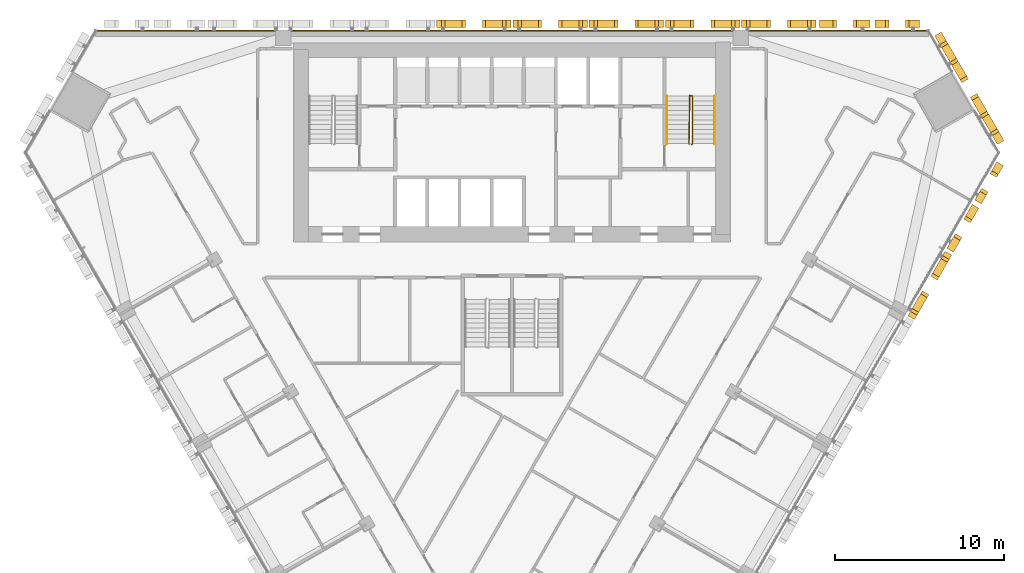
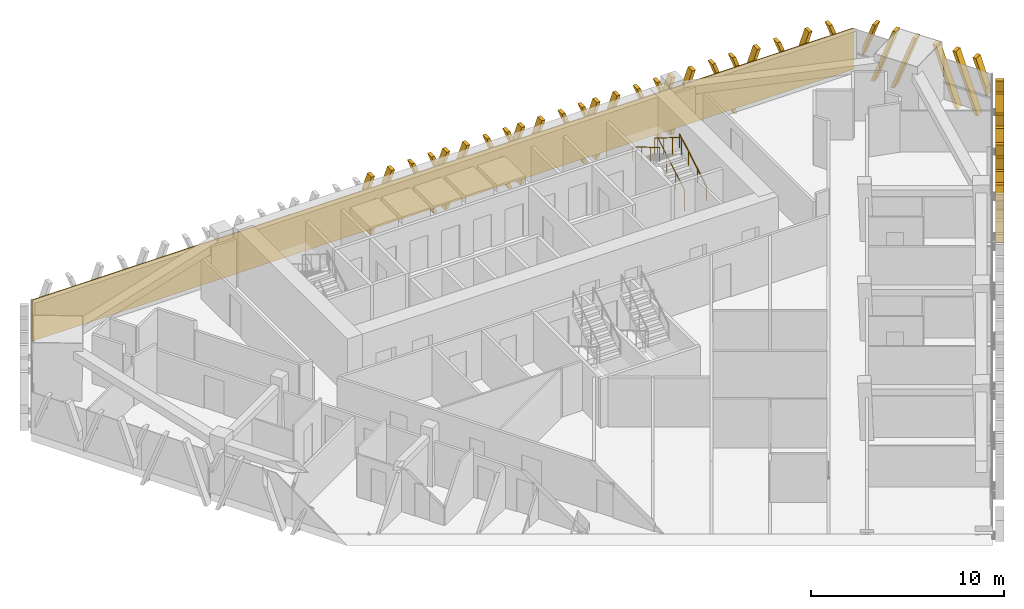
# One storey, part 15 of 16: 11 shading devices, 3 railings, 1 covering.
"""IFC4 building model written with IfcOpenShell, lengths in metres."""

import ifcopenshell
import ifcopenshell.guid

model = None  # the IFC model being written
_history = None  # IfcOwnerHistory: only IFC2X3 demands one
_inside = {}  # id of a spatial element -> (the spatial element, [elements in it])
_under = {}  # id of a project, library or spatial element -> (it, [spatial elements below it])
_declared = {}  # id of a project -> (the project, [libraries it declares])
_typed = {}  # id of a type object -> (the type object, [elements of that type])
_made_of = {}  # id of a material, layer set ... -> (it, [elements and type objects made of it])


def new_model(schema):
    """Start an empty IFC model of exactly this schema.

    Asked for "IFC4X3", IfcOpenShell would pick the latest addendum, in which some entities
    have other attributes; the version numbers below select the first issue.
    IFC2X3 requires an IfcOwnerHistory on every rooted entity: one is made here for all.
    """
    global model, _history
    if schema == "IFC4X3":
        model = ifcopenshell.file(schema_version=(4, 3, 0, 0))
    else:
        model = ifcopenshell.file(schema=schema)
    _inside.clear()
    _under.clear()
    _declared.clear()
    _typed.clear()
    _made_of.clear()
    _history = None
    if model.schema == "IFC2X3":
        org = make("IfcOrganization", Name="unknown")
        user = make(
            "IfcPersonAndOrganization",
            ThePerson=make("IfcPerson", FamilyName="unknown"),
            TheOrganization=org,
        )
        app = make(
            "IfcApplication",
            ApplicationDeveloper=org,
            Version="unknown",
            ApplicationFullName="unknown",
            ApplicationIdentifier="unknown",
        )
        _history = make(
            "IfcOwnerHistory",
            OwningUser=user,
            OwningApplication=app,
            ChangeAction="ADDED",
            CreationDate=0,
        )
    return model


def make(cls, **values):
    """One entity of the class cls with the attributes given. An attribute that is None is left unset."""
    return model.create_entity(
        cls, **{name: value for name, value in values.items() if value is not None}
    )


def rooted(cls, **values):
    """An entity with a GlobalId (a new one), such as an element, a storey or a relation."""
    return make(cls, GlobalId=ifcopenshell.guid.new(), OwnerHistory=_history, **values)


def si_unit(unit_type, name, prefix=None):
    """IfcSIUnit, for example si_unit("LENGTHUNIT", "METRE", prefix="MILLI")."""
    return make("IfcSIUnit", UnitType=unit_type, Prefix=prefix, Name=name)


def assignment(units):
    """IfcUnitAssignment: the units of a project."""
    return None if units is None else make("IfcUnitAssignment", Units=units)


def point(xyz):
    """IfcCartesianPoint."""
    return None if xyz is None else make("IfcCartesianPoint", Coordinates=xyz)


def direction(xyz):
    """IfcDirection."""
    return None if xyz is None else make("IfcDirection", DirectionRatios=xyz)


def frame(location, z_axis=None, x_axis=None):
    """IfcAxis2Placement3D, a coordinate frame: its origin and axes. An axis left out is left unset."""
    return make(
        "IfcAxis2Placement3D",
        Location=point(location),
        Axis=direction(z_axis),
        RefDirection=direction(x_axis),
    )


def frame_2d(location, x_axis=None):
    """IfcAxis2Placement2D, a coordinate frame in the plane: its origin and x axis."""
    return make(
        "IfcAxis2Placement2D", Location=point(location), RefDirection=direction(x_axis)
    )


def origin():
    """The frame at (0, 0, 0) with its axes left unset."""
    return frame((0.0, 0.0, 0.0))


def origin_2d():
    """The frame at (0, 0) in the plane with its x axis left unset."""
    return frame_2d((0.0, 0.0))


def place(relative_to, where):
    """IfcLocalPlacement: puts the frame where relative to a parent placement (None: the world)."""
    return make(
        "IfcLocalPlacement", PlacementRelTo=relative_to, RelativePlacement=where
    )


def context(
    kind, dimensions, precision=None, world=None, true_north=None, identifier=None
):
    """IfcGeometricRepresentationContext, for example the 3D "Model" context."""
    return make(
        "IfcGeometricRepresentationContext",
        ContextIdentifier=identifier,
        ContextType=kind,
        CoordinateSpaceDimension=dimensions,
        Precision=precision,
        WorldCoordinateSystem=world,
        TrueNorth=true_north,
    )


def subcontext(parent, identifier, kind, view, scale=None):
    """IfcGeometricRepresentationSubContext, for example "Body" below "Model"."""
    return make(
        "IfcGeometricRepresentationSubContext",
        ContextIdentifier=identifier,
        ContextType=kind,
        ParentContext=parent,
        TargetScale=scale,
        TargetView=view,
    )


def project(units=None, contexts=None):
    """IfcProject with its units and contexts."""
    return rooted(
        "IfcProject",
        Name="project",
        RepresentationContexts=contexts,
        UnitsInContext=assignment(units),
    )


def spatial(cls, under=None, at=None, **own):
    """A site, building, storey or space (cls), placed at a placement, below another one or the project."""
    s = rooted(cls, ObjectPlacement=at, **own)
    if under is not None:
        _under.setdefault(under.id(), (under, []))[1].append(s)
    return s


def polyline(points):
    """IfcPolyline through the points."""
    return make("IfcPolyline", Points=[point(p) for p in points])


def profile(cls, at=None, kind="AREA", **sizes):
    """A parametric profile (cls). Its sizes go by their IFC names, for example OverallWidth=200.0."""
    return make(cls, ProfileType=kind, Position=at, **sizes)


def rectangle(**sizes):
    """IfcRectangleProfileDef."""
    return profile("IfcRectangleProfileDef", **sizes)


def circle(**sizes):
    """IfcCircleProfileDef."""
    return profile("IfcCircleProfileDef", **sizes)


def outline(outer, holes=None, kind="AREA"):
    """IfcArbitraryClosedProfileDef: a profile drawn as a closed curve; with holes, ...WithVoids."""
    if holes is None:
        return make("IfcArbitraryClosedProfileDef", ProfileType=kind, OuterCurve=outer)
    return make(
        "IfcArbitraryProfileDefWithVoids",
        ProfileType=kind,
        OuterCurve=outer,
        InnerCurves=holes,
    )


def extrude(swept, where, along, depth):
    """IfcExtrudedAreaSolid: the profile swept, set in the frame where, extruded along a direction by depth."""
    return make(
        "IfcExtrudedAreaSolid",
        SweptArea=swept,
        Position=where,
        ExtrudedDirection=direction(along),
        Depth=depth,
    )


def shape(context_of_items, identifier, shape_type, items):
    """IfcShapeRepresentation: the items that make up one representation, for example the "Body"."""
    return make(
        "IfcShapeRepresentation",
        ContextOfItems=context_of_items,
        RepresentationIdentifier=identifier,
        RepresentationType=shape_type,
        Items=items,
    )


def source(mapping_origin, context_of_items, identifier, shape_type, items):
    """IfcRepresentationMap: a shape defined once, which mapped items show again and again."""
    return make(
        "IfcRepresentationMap",
        MappingOrigin=mapping_origin,
        MappedRepresentation=shape(context_of_items, identifier, shape_type, items),
    )


def transform(
    local_origin,
    x_axis=None,
    y_axis=None,
    z_axis=None,
    scale=None,
    scale2=None,
    scale3=None,
    uniform=True,
):
    """IfcCartesianTransformationOperator3D, or its non-uniform kind. x_axis, y_axis, z_axis: its Axis1, 2, 3."""
    if uniform:
        return make(
            "IfcCartesianTransformationOperator3D",
            Axis1=direction(x_axis),
            Axis2=direction(y_axis),
            LocalOrigin=point(local_origin),
            Scale=scale,
            Axis3=direction(z_axis),
        )
    return make(
        "IfcCartesianTransformationOperator3DnonUniform",
        Axis1=direction(x_axis),
        Axis2=direction(y_axis),
        LocalOrigin=point(local_origin),
        Scale=scale,
        Axis3=direction(z_axis),
        Scale2=scale2,
        Scale3=scale3,
    )


def mapped(mapping_source, mapping_target):
    """IfcMappedItem: shows the shape of a source again, moved by a transform."""
    return make(
        "IfcMappedItem", MappingSource=mapping_source, MappingTarget=mapping_target
    )


def material(Name=None, Category=None):
    """IfcMaterial."""
    return make("IfcMaterial", Name=Name, Category=Category)


def layer(
    of_material, thickness, ventilated=None, Name=None, Category=None, Priority=None
):
    """IfcMaterialLayer: one layer of a wall or slab, of a material (None: an air gap)."""
    return make(
        "IfcMaterialLayer",
        Material=of_material,
        LayerThickness=thickness,
        IsVentilated=ventilated,
        Name=Name,
        Category=Category,
        Priority=Priority,
    )


def layer_set(layers, Name=None):
    """IfcMaterialLayerSet."""
    return make("IfcMaterialLayerSet", MaterialLayers=layers, LayerSetName=Name)


def made_of(thing, what):
    """Note that an element or type object is made of a material, layer set ...; save() writes the relation."""
    if what is not None:
        _made_of.setdefault(what.id(), (what, []))[1].append(thing)
    return thing


def type_object(cls, material=None, **own):
    """A type object (cls), such as IfcWallType, which elements share."""
    return made_of(rooted(cls, **own), material)


def element(
    cls,
    number,
    at=None,
    inside=None,
    cuts=None,
    type_object=None,
    material=None,
    context=None,
    identifier="Body",
    shape_type=None,
    held_by="IfcProductDefinitionShape",
    body=None,
    shapes=None,
    **own,
):
    """One element of the class cls, such as IfcWall. Its Tag is "e" and its number.

    at: its placement. inside: the storey or other place that contains it. cuts: it is an
    opening in that element (IfcRelVoidsElement). A single representation is given by context,
    identifier, shape_type and body (its items); several are given by shapes. held_by: the class
    of the entity that holds the representations. save() writes the other relations.
    """
    e = rooted(cls, Tag="e%d" % number, ObjectPlacement=at, **own)
    if body is not None:
        shapes = [shape(context, identifier, shape_type, body)]
    if shapes is not None:
        e.Representation = make(held_by, Representations=shapes)
    if inside is not None:
        _inside.setdefault(inside.id(), (inside, []))[1].append(e)
    if cuts is not None:
        rooted(
            "IfcRelVoidsElement", RelatingBuildingElement=cuts, RelatedOpeningElement=e
        )
    if type_object is not None:
        _typed.setdefault(type_object.id(), (type_object, []))[1].append(e)
    return made_of(e, material)


def aggregate(whole, parts):
    """IfcRelAggregates: a whole, such as a stair, and the parts it consists of."""
    return rooted("IfcRelAggregates", RelatingObject=whole, RelatedObjects=parts)


def save(model, path):
    """Write the relations noted so far, then the file.

    IfcRelAggregates (storeys below a building ...), IfcRelContainedInSpatialStructure (elements
    in a storey), IfcRelDefinesByType, IfcRelAssociatesMaterial and IfcRelDeclares: one each for
    every whole, place, type object, material and project.
    """
    for whole, parts in _under.values():
        aggregate(whole, parts)
    for where, things in _inside.values():
        rooted(
            "IfcRelContainedInSpatialStructure",
            RelatedElements=things,
            RelatingStructure=where,
        )
    for kind, things in _typed.values():
        rooted("IfcRelDefinesByType", RelatedObjects=things, RelatingType=kind)
    for what, things in _made_of.values():
        rooted("IfcRelAssociatesMaterial", RelatedObjects=things, RelatingMaterial=what)
    for by, libraries in _declared.values():
        rooted("IfcRelDeclares", RelatingContext=by, RelatedDefinitions=libraries)
    model.write(path)


model = new_model("IFC4")

# Units and contexts
model_context = context("Model", 3, precision=1e-05, world=origin(), true_north=direction((0.0, 1.0)))
body_context = subcontext(model_context, "Body", "Model", "MODEL_VIEW")
ifc_project = project(units=[si_unit("LENGTHUNIT", "METRE"), si_unit("AREAUNIT", "SQUARE_METRE"), si_unit("VOLUMEUNIT", "CUBIC_METRE"), si_unit("PLANEANGLEUNIT", "RADIAN"), si_unit("MASSUNIT", "GRAM", prefix="KILO")], contexts=[model_context])

# Site, building, storey
site_placement = place(None, origin())
site = spatial("IfcSite", under=ifc_project, at=site_placement, CompositionType="ELEMENT")
building_placement = place(site_placement, origin())
building = spatial("IfcBuilding", under=site, at=building_placement, Name="Altiplano Prism Tower", CompositionType="ELEMENT")
storey_placement = place(building_placement, frame((0.0, 0.0, 104.39990234375)))
storey = spatial("IfcBuildingStorey", under=building, at=storey_placement, Name="L26", CompositionType="ELEMENT", Elevation=104.39990234375)

# Railings
ifc_material_1 = material(Name="Steel S355", Category="steel")
railing_type_1 = type_object("IfcRailingType", Name="Stair guard 1100", PredefinedType="GUARDRAIL", material=ifc_material_1)
railing_1_placement = place(storey_placement, frame((95.60009765625, 98.25, 0.0)))
element("IfcRailing", 1, at=railing_1_placement, inside=storey, type_object=railing_type_1, Name="L26 ST2 stair guard 1", PredefinedType="GUARDRAIL", context=body_context, shape_type="SweptSolid", body=[
    extrude(circle(Radius=0.02392578125, at=origin_2d()), frame((0.0, 0.0, 1.076171875), z_axis=(0.279194930351, 0.280563532951, 0.91833234444), x_axis=(-0.708833529934, 0.705375805398, 0.0)), (0.0, 0.0, 1.0), 0.178466796875),
    extrude(circle(Radius=0.02392578125, at=origin_2d()), frame((0.0498046875, 0.050048828125, 1.23974609375), z_axis=(0.0, 0.863393664356, 0.504530851732), x_axis=(-1.0, 0.0, 0.0)), (0.0, 0.0, 1.0), 3.2431640625),
    extrude(circle(Radius=0.02392578125, at=origin_2d()), frame((0.0498046875, 2.85009765625, 2.8759765625), z_axis=(-0.948991962702, 0.315300261223, 0.0), x_axis=(-0.315300261223, -0.948991962702, 0.0)), (0.0, 0.0, 1.0), 0.157958984375),
    extrude(circle(Radius=0.02392578125, at=origin_2d()), frame((-0.10009765625, 2.89990234375, 2.8759765625), z_axis=(-0.014846418356, -0.845376787675, 0.533964109957), x_axis=(0.999845825584, -0.017559187376, 0.0)), (0.0, 0.0, 1.0), 3.37109375),
    extrude(circle(Radius=0.02099609375, at=origin_2d()), origin(), (0.0, 0.0, 1.0), 1.052001953125),
    extrude(circle(Radius=0.02099609375, at=origin_2d()), frame((0.0498046875, 0.050048828125, 0.163818359375)), (0.0, 0.0, 1.0), 1.052001953125),
    extrude(circle(Radius=0.02099609375, at=origin_2d()), frame((0.0498046875, 0.9833984375, 0.709228515625)), (0.0, 0.0, 1.0), 1.052001953125),
    extrude(circle(Radius=0.02099609375, at=origin_2d()), frame((0.0498046875, 1.916748046875, 1.254638671875)), (0.0, 0.0, 1.0), 1.052001953125),
    extrude(circle(Radius=0.02099609375, at=origin_2d()), frame((0.0498046875, 2.85009765625, 1.800048828125)), (0.0, 0.0, 1.0), 1.052001953125),
    extrude(circle(Radius=0.02099609375, at=origin_2d()), frame((-0.10009765625, 2.89990234375, 1.800048828125)), (0.0, 0.0, 1.0), 1.052001953125),
    extrude(circle(Radius=0.02099609375, at=origin_2d()), frame((-0.11669921875, 1.949951171875, 2.400146484375)), (0.0, 0.0, 1.0), 1.052001953125),
    extrude(circle(Radius=0.02099609375, at=origin_2d()), frame((-0.133544921875, 1.0, 3.0)), (0.0, 0.0, 1.0), 1.052001953125),
    extrude(circle(Radius=0.02099609375, at=origin_2d()), frame((-0.150146484375, 0.050048828125, 3.60009765625)), (0.0, 0.0, 1.0), 1.052001953125),
])
railing_type_2 = type_object("IfcRailingType", Name="Stair handrail 900", PredefinedType="HANDRAIL", material=ifc_material_1)
railing_2_placement = place(storey_placement, frame((96.949951171875, 98.300048828125, 0.163818359375)))
element("IfcRailing", 2, at=railing_2_placement, inside=storey, type_object=railing_type_2, Name="L26 ST2 stair handrail 1", PredefinedType="HANDRAIL", context=body_context, shape_type="SweptSolid", body=[
    extrude(circle(Radius=0.02392578125, at=origin_2d()), frame((0.0, 0.0, 0.8759765625), z_axis=(0.0, 0.863393664356, 0.504530851732), x_axis=(-1.0, 0.0, 0.0)), (0.0, 0.0, 1.0), 3.2431640625),
    extrude(circle(Radius=0.02099609375, at=origin_2d()), origin(), (0.0, 0.0, 1.0), 0.851806640625),
    extrude(circle(Radius=0.02099609375, at=origin_2d()), frame((0.0, 0.933349609375, 0.54541015625)), (0.0, 0.0, 1.0), 0.851806640625),
    extrude(circle(Radius=0.02099609375, at=origin_2d()), frame((0.0, 1.86669921875, 1.0908203125)), (0.0, 0.0, 1.0), 0.851806640625),
    extrude(circle(Radius=0.02099609375, at=origin_2d()), frame((0.0, 2.800048828125, 1.63623046875)), (0.0, 0.0, 1.0), 0.851806640625),
])
railing_3_placement = place(storey_placement, frame((94.14990234375, 101.10009765625, 1.963623046875)))
element("IfcRailing", 3, at=railing_3_placement, inside=storey, type_object=railing_type_2, Name="L26 ST2 stair handrail 2", PredefinedType="HANDRAIL", context=body_context, shape_type="SweptSolid", body=[
    extrude(circle(Radius=0.02392578125, at=origin_2d()), frame((0.0, 0.0, 0.8759765625), z_axis=(0.0, -0.863360870873, 0.504586966384), x_axis=(1.0, 0.0, 0.0)), (0.0, 0.0, 1.0), 3.2431640625),
    extrude(circle(Radius=0.02099609375, at=origin_2d()), origin(), (0.0, 0.0, 1.0), 0.851806640625),
    extrude(circle(Radius=0.02099609375, at=origin_2d()), frame((0.0, -0.933349609375, 0.54541015625)), (0.0, 0.0, 1.0), 0.851806640625),
    extrude(circle(Radius=0.02099609375, at=origin_2d()), frame((0.0, -1.86669921875, 1.091064453125)), (0.0, 0.0, 1.0), 0.851806640625),
    extrude(circle(Radius=0.02099609375, at=origin_2d()), frame((0.0, -2.800048828125, 1.636474609375)), (0.0, 0.0, 1.0), 0.851806640625),
])

# Covering
ifc_material_2 = material(Name="Warm limestone cast stone", Category="masonry")
ifc_layer = layer(ifc_material_2, 0.06005859375)
ifc_layer_set = layer_set([ifc_layer], Name="Warm limestone cast stone")
covering_type = type_object("IfcCoveringType", Name="Stone cladding 60", PredefinedType="CLADDING", material=ifc_layer_set)
covering_placement = place(storey_placement, frame((60.41162109375, 104.969970703125, 0.0), z_axis=(0.0, 0.0, 1.0), x_axis=(1.0, 0.0, 0.0)))
element("IfcCovering", 4, at=covering_placement, inside=storey, type_object=covering_type, Name="Stone cladding north face L26", PredefinedType="CLADDING", context=body_context, shape_type="SweptSolid", body=[
    extrude(rectangle(XDim=49.1767578125, YDim=0.06005859375, at=frame_2d((24.58837890625, 0.0))), origin(), (0.0, 0.0, 1.0), 2.60009765625),
])

# Shading devices
shading_device_type_1 = type_object("IfcShadingDeviceType", Name="Stone fin panel, standard unit", PredefinedType="USERDEFINED", material=ifc_material_2)
shared_shape_1 = source(origin(), body_context, "Body", "SweptSolid", [
    extrude(outline(polyline([(-2.199951171875, 2.226318359375), (-1.699951171875, 3.60009765625), (-1.89990234375, 3.60009765625), (-2.199951171875, 2.77587890625), (-2.199951171875, 2.226318359375)])), frame((0.0, -0.14990234375, 0.0), z_axis=(0.0, -1.0, 0.0), x_axis=(1.0, 0.0, 0.0)), (0.0, 0.0, 1.0), 0.4501953125),
    extrude(outline(polyline([(-2.01025390625, 0.0), (-1.810302734375, 0.0), (-0.5, 3.60009765625), (-0.699951171875, 3.60009765625), (-2.01025390625, 0.0)])), frame((0.0, -0.14990234375, 0.0), z_axis=(0.0, -1.0, 0.0), x_axis=(1.0, 0.0, 0.0)), (0.0, 0.0, 1.0), 0.4501953125),
    extrude(outline(polyline([(1.810302734375, 0.0), (2.01025390625, 0.0), (0.699951171875, 3.60009765625), (0.5, 3.60009765625), (1.810302734375, 0.0)])), frame((0.0, -0.14990234375, 0.0), z_axis=(0.0, -1.0, 0.0), x_axis=(1.0, 0.0, 0.0)), (0.0, 0.0, 1.0), 0.4501953125),
    extrude(outline(polyline([(2.199951171875, 2.77587890625), (1.89990234375, 3.60009765625), (1.699951171875, 3.60009765625), (2.199951171875, 2.226318359375), (2.199951171875, 2.77587890625)])), frame((0.0, -0.14990234375, 0.0), z_axis=(0.0, -1.0, 0.0), x_axis=(1.0, 0.0, 0.0)), (0.0, 0.0, 1.0), 0.4501953125),
])
shading_device_1_placement = place(storey_placement, origin())
element("IfcShadingDevice", 5, at=shading_device_1_placement, inside=storey, type_object=shading_device_type_1, Name="Fin L26 north face 3", ObjectType="FIN", PredefinedType="USERDEFINED", context=body_context, shape_type="MappedRepresentation", body=[
    mapped(shared_shape_1, transform((100.75, 105.0, -0.5), x_axis=(-1.0, 0.0, 0.0), y_axis=(0.0, -1.0, 0.0), z_axis=(0.0, 0.0, 1.0))),
])
shading_device_2_placement = place(storey_placement, origin())
element("IfcShadingDevice", 6, at=shading_device_2_placement, inside=storey, type_object=shading_device_type_1, Name="Fin L26 north face 4", ObjectType="FIN", PredefinedType="USERDEFINED", context=body_context, shape_type="MappedRepresentation", body=[
    mapped(shared_shape_1, transform((96.25, 105.0, -0.5), x_axis=(-1.0, 0.0, 0.0), y_axis=(0.0, -1.0, 0.0), z_axis=(0.0, 0.0, 1.0))),
])
shading_device_3_placement = place(storey_placement, origin())
element("IfcShadingDevice", 7, at=shading_device_3_placement, inside=storey, type_object=shading_device_type_1, Name="Fin L26 north face 5", ObjectType="FIN", PredefinedType="USERDEFINED", context=body_context, shape_type="MappedRepresentation", body=[
    mapped(shared_shape_1, transform((91.75, 105.0, -0.5), x_axis=(-1.0, 0.0, 0.0), y_axis=(0.0, -1.0, 0.0), z_axis=(0.0, 0.0, 1.0))),
])
shading_device_4_placement = place(storey_placement, origin())
element("IfcShadingDevice", 8, at=shading_device_4_placement, inside=storey, type_object=shading_device_type_1, Name="Fin L26 north face 6", ObjectType="FIN", PredefinedType="USERDEFINED", context=body_context, shape_type="MappedRepresentation", body=[
    mapped(shared_shape_1, transform((87.25, 105.0, -0.5), x_axis=(-1.0, 0.0, 0.0), y_axis=(0.0, -1.0, 0.0), z_axis=(0.0, 0.0, 1.0))),
])
shading_device_5_placement = place(storey_placement, origin())
element("IfcShadingDevice", 9, at=shading_device_5_placement, inside=storey, type_object=shading_device_type_1, Name="Fin L26 north face 7", ObjectType="FIN", PredefinedType="USERDEFINED", context=body_context, shape_type="MappedRepresentation", body=[
    mapped(shared_shape_1, transform((82.75, 105.0, -0.5), x_axis=(-1.0, 0.0, 0.0), y_axis=(0.0, -1.0, 0.0), z_axis=(0.0, 0.0, 1.0))),
])
shading_device_6_placement = place(storey_placement, origin())
element("IfcShadingDevice", 10, at=shading_device_6_placement, inside=storey, type_object=shading_device_type_1, Name="Fin L26 south-east face 10", ObjectType="FIN", PredefinedType="USERDEFINED", context=body_context, shape_type="MappedRepresentation", body=[
    mapped(shared_shape_1, transform((109.341796875, 90.11865234375, -0.5), x_axis=(0.500000003023, 0.866025402039, 0.0), y_axis=(-0.866025402039, 0.500000003023, 0.0), z_axis=(0.0, 0.0, 1.0))),
])
shading_device_type_2 = type_object("IfcShadingDeviceType", Name="Stone fin panel, narrow closing bay", PredefinedType="USERDEFINED", material=ifc_material_2)
shared_shape_2 = source(origin(), body_context, "Body", "SweptSolid", [
    extrude(outline(polyline([(-1.5, 0.8525390625), (-0.5, 3.60009765625), (-0.699951171875, 3.60009765625), (-1.5, 1.402099609375), (-1.5, 0.8525390625)])), frame((0.0, -0.14990234375, 0.0), z_axis=(0.0, -1.0, 0.0), x_axis=(1.0, 0.0, 0.0)), (0.0, 0.0, 1.0), 0.4501953125),
    extrude(outline(polyline([(1.5, 1.402099609375), (0.699951171875, 3.60009765625), (0.5, 3.60009765625), (1.5, 0.8525390625), (1.5, 1.402099609375)])), frame((0.0, -0.14990234375, 0.0), z_axis=(0.0, -1.0, 0.0), x_axis=(1.0, 0.0, 0.0)), (0.0, 0.0, 1.0), 0.4501953125),
])
shading_device_7_placement = place(storey_placement, origin())
element("IfcShadingDevice", 11, at=shading_device_7_placement, inside=storey, type_object=shading_device_type_2, Name="Fin L26 north face 2", ObjectType="FIN", PredefinedType="USERDEFINED", context=body_context, shape_type="MappedRepresentation", body=[
    mapped(shared_shape_2, transform((104.64697265625, 105.0, -0.5), x_axis=(-1.0, 0.0, 0.0), y_axis=(0.0, -1.0, 0.0), z_axis=(0.0, 0.0, 1.0))),
])
shading_device_8_placement = place(storey_placement, origin())
element("IfcShadingDevice", 12, at=shading_device_8_placement, inside=storey, type_object=shading_device_type_2, Name="Fin L26 south-east face 11", ObjectType="FIN", PredefinedType="USERDEFINED", context=body_context, shape_type="MappedRepresentation", body=[
    mapped(shared_shape_2, transform((111.290283203125, 93.49365234375, -0.5), x_axis=(0.500000003023, 0.866025402039, 0.0), y_axis=(-0.866025402039, 0.500000003023, 0.0), z_axis=(0.0, 0.0, 1.0))),
])
shared_shape_3 = source(origin(), body_context, "Body", "SweptSolid", [
    extrude(outline(polyline([(-1.300048828125, 1.402099609375), (-0.5, 3.60009765625), (-0.699951171875, 3.60009765625), (-1.300048828125, 1.951416015625), (-1.300048828125, 1.402099609375)])), frame((0.0, -0.14990234375, 0.0), z_axis=(0.0, -1.0, 0.0), x_axis=(1.0, 0.0, 0.0)), (0.0, 0.0, 1.0), 0.4501953125),
    extrude(outline(polyline([(1.300048828125, 1.951416015625), (0.699951171875, 3.60009765625), (0.5, 3.60009765625), (1.300048828125, 1.402099609375), (1.300048828125, 1.951416015625)])), frame((0.0, -0.14990234375, 0.0), z_axis=(0.0, -1.0, 0.0), x_axis=(1.0, 0.0, 0.0)), (0.0, 0.0, 1.0), 0.4501953125),
])
shading_device_9_placement = place(storey_placement, origin())
element("IfcShadingDevice", 13, at=shading_device_9_placement, inside=storey, type_object=shading_device_type_2, Name="Fin L26 north face 1", ObjectType="FIN", PredefinedType="USERDEFINED", context=body_context, shape_type="MappedRepresentation", body=[
    mapped(shared_shape_3, transform((107.7412109375, 105.0, -0.5), x_axis=(-1.0, 0.0, 0.0), y_axis=(0.0, -1.0, 0.0), z_axis=(0.0, 0.0, 1.0))),
])
shading_device_10_placement = place(storey_placement, origin())
element("IfcShadingDevice", 14, at=shading_device_10_placement, inside=storey, type_object=shading_device_type_2, Name="Fin L26 south-east face 12", ObjectType="FIN", PredefinedType="USERDEFINED", context=body_context, shape_type="MappedRepresentation", body=[
    mapped(shared_shape_3, transform((112.83740234375, 96.17333984375, -0.5), x_axis=(0.500000003023, 0.866025402039, 0.0), y_axis=(-0.866025402039, 0.500000003023, 0.0), z_axis=(0.0, 0.0, 1.0))),
])
shading_device_type_3 = type_object("IfcShadingDeviceType", Name="Stone fin panel, chamfer unit", PredefinedType="USERDEFINED", material=ifc_material_2)
shared_shape_4 = source(origin(), body_context, "Body", "SweptSolid", [
    extrude(outline(polyline([(-3.699951171875, 1.402099609375), (-2.89990234375, 3.60009765625), (-3.10009765625, 3.60009765625), (-3.699951171875, 1.951416015625), (-3.699951171875, 1.402099609375)])), frame((0.0, -0.14990234375, 0.0), z_axis=(0.0, -1.0, 0.0), x_axis=(1.0, 0.0, 0.0)), (0.0, 0.0, 1.0), 0.4501953125),
    extrude(outline(polyline([(-3.210205078125, 0.0), (-3.01025390625, 0.0), (-1.699951171875, 3.60009765625), (-1.89990234375, 3.60009765625), (-3.210205078125, 0.0)])), frame((0.0, -0.14990234375, 0.0), z_axis=(0.0, -1.0, 0.0), x_axis=(1.0, 0.0, 0.0)), (0.0, 0.0, 1.0), 0.4501953125),
    extrude(outline(polyline([(-2.01025390625, 0.0), (-1.810302734375, 0.0), (-0.5, 3.60009765625), (-0.699951171875, 3.60009765625), (-2.01025390625, 0.0)])), frame((0.0, -0.14990234375, 0.0), z_axis=(0.0, -1.0, 0.0), x_axis=(1.0, 0.0, 0.0)), (0.0, 0.0, 1.0), 0.4501953125),
    extrude(outline(polyline([(1.810302734375, 0.0), (2.01025390625, 0.0), (0.699951171875, 3.60009765625), (0.5, 3.60009765625), (1.810302734375, 0.0)])), frame((0.0, -0.14990234375, 0.0), z_axis=(0.0, -1.0, 0.0), x_axis=(1.0, 0.0, 0.0)), (0.0, 0.0, 1.0), 0.4501953125),
    extrude(outline(polyline([(3.01025390625, 0.0), (3.210205078125, 0.0), (1.89990234375, 3.60009765625), (1.699951171875, 3.60009765625), (3.01025390625, 0.0)])), frame((0.0, -0.14990234375, 0.0), z_axis=(0.0, -1.0, 0.0), x_axis=(1.0, 0.0, 0.0)), (0.0, 0.0, 1.0), 0.4501953125),
    extrude(outline(polyline([(3.699951171875, 1.951416015625), (3.10009765625, 3.60009765625), (2.89990234375, 3.60009765625), (3.699951171875, 1.402099609375), (3.699951171875, 1.951416015625)])), frame((0.0, -0.14990234375, 0.0), z_axis=(0.0, -1.0, 0.0), x_axis=(1.0, 0.0, 0.0)), (0.0, 0.0, 1.0), 0.4501953125),
])
shading_device_11_placement = place(storey_placement, origin())
element("IfcShadingDevice", 15, at=shading_device_11_placement, inside=storey, type_object=shading_device_type_3, Name="Fin L26 north-east chamfer 1", ObjectType="FIN", PredefinedType="USERDEFINED", context=body_context, shape_type="MappedRepresentation", body=[
    mapped(shared_shape_4, transform((111.674560546875, 101.386474609375, -0.5), x_axis=(-0.500000036, 0.866025383, 0.0), y_axis=(-0.866025383, -0.500000036, 0.0), z_axis=(0.0, 0.0, 1.0))),
])

save(model, "model.ifc")
